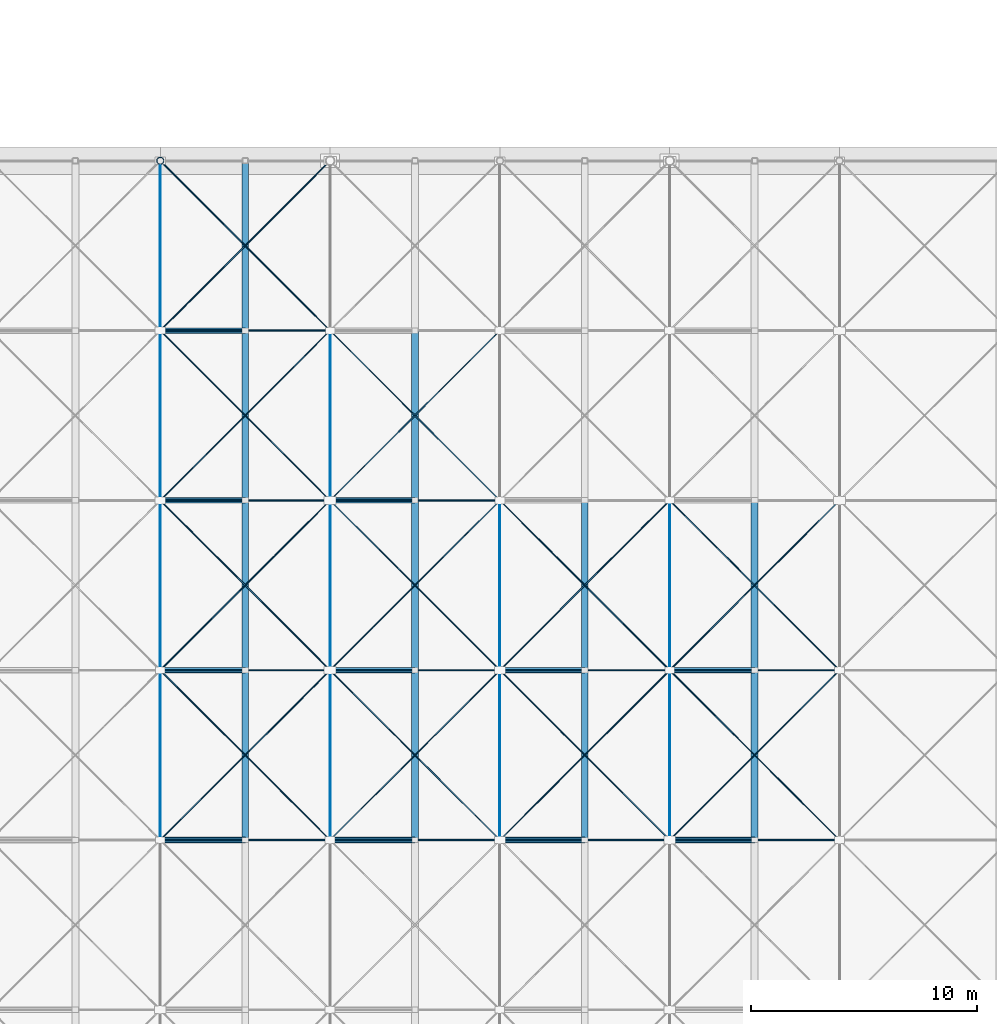
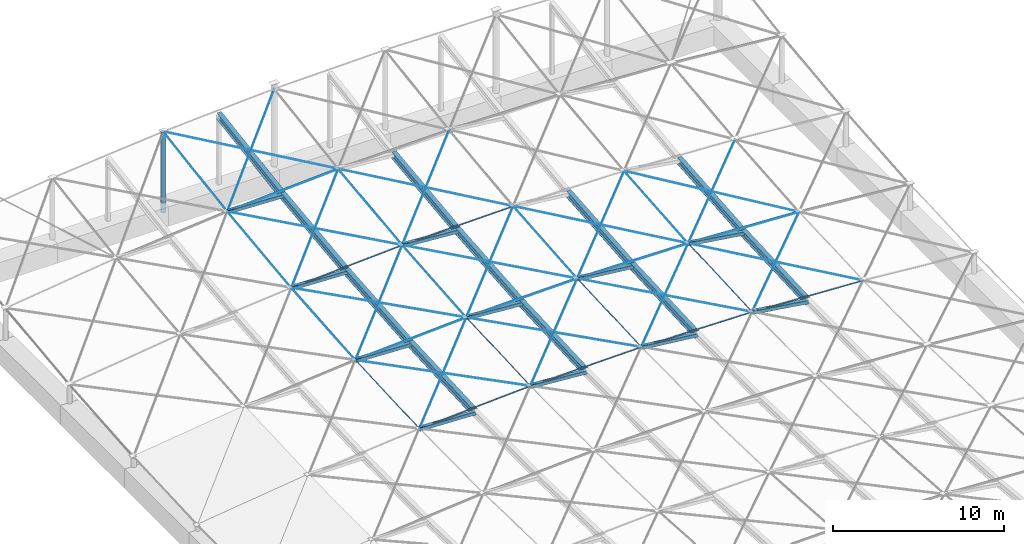
# One storey, part 7 of 17: 67 members.
"""IFC4 building model written with IfcOpenShell, lengths in metres."""

import ifcopenshell
import ifcopenshell.guid

model = None  # the IFC model being written
_history = None  # IfcOwnerHistory: only IFC2X3 demands one
_inside = {}  # id of a spatial element -> (the spatial element, [elements in it])
_under = {}  # id of a project, library or spatial element -> (it, [spatial elements below it])
_declared = {}  # id of a project -> (the project, [libraries it declares])
_typed = {}  # id of a type object -> (the type object, [elements of that type])
_made_of = {}  # id of a material, layer set ... -> (it, [elements and type objects made of it])


def new_model(schema):
    """Start an empty IFC model of exactly this schema.

    Asked for "IFC4X3", IfcOpenShell would pick the latest addendum, in which some entities
    have other attributes; the version numbers below select the first issue.
    IFC2X3 requires an IfcOwnerHistory on every rooted entity: one is made here for all.
    """
    global model, _history
    if schema == "IFC4X3":
        model = ifcopenshell.file(schema_version=(4, 3, 0, 0))
    else:
        model = ifcopenshell.file(schema=schema)
    _inside.clear()
    _under.clear()
    _declared.clear()
    _typed.clear()
    _made_of.clear()
    _history = None
    if model.schema == "IFC2X3":
        org = make("IfcOrganization", Name="unknown")
        user = make(
            "IfcPersonAndOrganization",
            ThePerson=make("IfcPerson", FamilyName="unknown"),
            TheOrganization=org,
        )
        app = make(
            "IfcApplication",
            ApplicationDeveloper=org,
            Version="unknown",
            ApplicationFullName="unknown",
            ApplicationIdentifier="unknown",
        )
        _history = make(
            "IfcOwnerHistory",
            OwningUser=user,
            OwningApplication=app,
            ChangeAction="ADDED",
            CreationDate=0,
        )
    return model


def make(cls, **values):
    """One entity of the class cls with the attributes given. An attribute that is None is left unset."""
    return model.create_entity(
        cls, **{name: value for name, value in values.items() if value is not None}
    )


def rooted(cls, **values):
    """An entity with a GlobalId (a new one), such as an element, a storey or a relation."""
    return make(cls, GlobalId=ifcopenshell.guid.new(), OwnerHistory=_history, **values)


def si_unit(unit_type, name, prefix=None):
    """IfcSIUnit, for example si_unit("LENGTHUNIT", "METRE", prefix="MILLI")."""
    return make("IfcSIUnit", UnitType=unit_type, Prefix=prefix, Name=name)


def assignment(units):
    """IfcUnitAssignment: the units of a project."""
    return None if units is None else make("IfcUnitAssignment", Units=units)


def point(xyz):
    """IfcCartesianPoint."""
    return None if xyz is None else make("IfcCartesianPoint", Coordinates=xyz)


def direction(xyz):
    """IfcDirection."""
    return None if xyz is None else make("IfcDirection", DirectionRatios=xyz)


def frame(location, z_axis=None, x_axis=None):
    """IfcAxis2Placement3D, a coordinate frame: its origin and axes. An axis left out is left unset."""
    return make(
        "IfcAxis2Placement3D",
        Location=point(location),
        Axis=direction(z_axis),
        RefDirection=direction(x_axis),
    )


def frame_2d(location, x_axis=None):
    """IfcAxis2Placement2D, a coordinate frame in the plane: its origin and x axis."""
    return make(
        "IfcAxis2Placement2D", Location=point(location), RefDirection=direction(x_axis)
    )


def origin():
    """The frame at (0, 0, 0) with its axes left unset."""
    return frame((0.0, 0.0, 0.0))


def origin_2d():
    """The frame at (0, 0) in the plane with its x axis left unset."""
    return frame_2d((0.0, 0.0))


def place(relative_to, where):
    """IfcLocalPlacement: puts the frame where relative to a parent placement (None: the world)."""
    return make(
        "IfcLocalPlacement", PlacementRelTo=relative_to, RelativePlacement=where
    )


def context(
    kind, dimensions, precision=None, world=None, true_north=None, identifier=None
):
    """IfcGeometricRepresentationContext, for example the 3D "Model" context."""
    return make(
        "IfcGeometricRepresentationContext",
        ContextIdentifier=identifier,
        ContextType=kind,
        CoordinateSpaceDimension=dimensions,
        Precision=precision,
        WorldCoordinateSystem=world,
        TrueNorth=true_north,
    )


def subcontext(parent, identifier, kind, view, scale=None):
    """IfcGeometricRepresentationSubContext, for example "Body" below "Model"."""
    return make(
        "IfcGeometricRepresentationSubContext",
        ContextIdentifier=identifier,
        ContextType=kind,
        ParentContext=parent,
        TargetScale=scale,
        TargetView=view,
    )


def project(units=None, contexts=None):
    """IfcProject with its units and contexts."""
    return rooted(
        "IfcProject",
        Name="project",
        RepresentationContexts=contexts,
        UnitsInContext=assignment(units),
    )


def spatial(cls, under=None, at=None, **own):
    """A site, building, storey or space (cls), placed at a placement, below another one or the project."""
    s = rooted(cls, ObjectPlacement=at, **own)
    if under is not None:
        _under.setdefault(under.id(), (under, []))[1].append(s)
    return s


def profile(cls, at=None, kind="AREA", **sizes):
    """A parametric profile (cls). Its sizes go by their IFC names, for example OverallWidth=200.0."""
    return make(cls, ProfileType=kind, Position=at, **sizes)


def hollow_rectangle(**sizes):
    """IfcRectangleHollowProfileDef."""
    return profile("IfcRectangleHollowProfileDef", **sizes)


def circle(**sizes):
    """IfcCircleProfileDef."""
    return profile("IfcCircleProfileDef", **sizes)


def hollow_circle(**sizes):
    """IfcCircleHollowProfileDef."""
    return profile("IfcCircleHollowProfileDef", **sizes)


def i_section(**sizes):
    """IfcIShapeProfileDef."""
    return profile("IfcIShapeProfileDef", **sizes)


def extrude(swept, where, along, depth):
    """IfcExtrudedAreaSolid: the profile swept, set in the frame where, extruded along a direction by depth."""
    return make(
        "IfcExtrudedAreaSolid",
        SweptArea=swept,
        Position=where,
        ExtrudedDirection=direction(along),
        Depth=depth,
    )


def shape(context_of_items, identifier, shape_type, items):
    """IfcShapeRepresentation: the items that make up one representation, for example the "Body"."""
    return make(
        "IfcShapeRepresentation",
        ContextOfItems=context_of_items,
        RepresentationIdentifier=identifier,
        RepresentationType=shape_type,
        Items=items,
    )


def material(Name=None, Category=None):
    """IfcMaterial."""
    return make("IfcMaterial", Name=Name, Category=Category)


def material_profile(
    of_material, cross_section, Name=None, Category=None, Priority=None
):
    """IfcMaterialProfile: a cross section and its material."""
    return make(
        "IfcMaterialProfile",
        Name=Name,
        Material=of_material,
        Profile=cross_section,
        Priority=Priority,
        Category=Category,
    )


def profile_set(profiles, Name=None, composite=None):
    """IfcMaterialProfileSet."""
    return make(
        "IfcMaterialProfileSet",
        Name=Name,
        MaterialProfiles=profiles,
        CompositeProfile=composite,
    )


def made_of(thing, what):
    """Note that an element or type object is made of a material, layer set ...; save() writes the relation."""
    if what is not None:
        _made_of.setdefault(what.id(), (what, []))[1].append(thing)
    return thing


def type_object(cls, material=None, **own):
    """A type object (cls), such as IfcWallType, which elements share."""
    return made_of(rooted(cls, **own), material)


def element(
    cls,
    number,
    at=None,
    inside=None,
    cuts=None,
    type_object=None,
    material=None,
    context=None,
    identifier="Body",
    shape_type=None,
    held_by="IfcProductDefinitionShape",
    body=None,
    shapes=None,
    **own,
):
    """One element of the class cls, such as IfcWall. Its Tag is "e" and its number.

    at: its placement. inside: the storey or other place that contains it. cuts: it is an
    opening in that element (IfcRelVoidsElement). A single representation is given by context,
    identifier, shape_type and body (its items); several are given by shapes. held_by: the class
    of the entity that holds the representations. save() writes the other relations.
    """
    e = rooted(cls, Tag="e%d" % number, ObjectPlacement=at, **own)
    if body is not None:
        shapes = [shape(context, identifier, shape_type, body)]
    if shapes is not None:
        e.Representation = make(held_by, Representations=shapes)
    if inside is not None:
        _inside.setdefault(inside.id(), (inside, []))[1].append(e)
    if cuts is not None:
        rooted(
            "IfcRelVoidsElement", RelatingBuildingElement=cuts, RelatedOpeningElement=e
        )
    if type_object is not None:
        _typed.setdefault(type_object.id(), (type_object, []))[1].append(e)
    return made_of(e, material)


def aggregate(whole, parts):
    """IfcRelAggregates: a whole, such as a stair, and the parts it consists of."""
    return rooted("IfcRelAggregates", RelatingObject=whole, RelatedObjects=parts)


def save(model, path):
    """Write the relations noted so far, then the file.

    IfcRelAggregates (storeys below a building ...), IfcRelContainedInSpatialStructure (elements
    in a storey), IfcRelDefinesByType, IfcRelAssociatesMaterial and IfcRelDeclares: one each for
    every whole, place, type object, material and project.
    """
    for whole, parts in _under.values():
        aggregate(whole, parts)
    for where, things in _inside.values():
        rooted(
            "IfcRelContainedInSpatialStructure",
            RelatedElements=things,
            RelatingStructure=where,
        )
    for kind, things in _typed.values():
        rooted("IfcRelDefinesByType", RelatedObjects=things, RelatingType=kind)
    for what, things in _made_of.values():
        rooted("IfcRelAssociatesMaterial", RelatedObjects=things, RelatingMaterial=what)
    for by, libraries in _declared.values():
        rooted("IfcRelDeclares", RelatingContext=by, RelatedDefinitions=libraries)
    model.write(path)


model = new_model("IFC4")

# Units and contexts
model_context = context("Model", 3, precision=1e-05, world=origin(), true_north=direction((0.0, 1.0)))
body_context = subcontext(model_context, "Body", "Model", "MODEL_VIEW")
ifc_project = project(units=[si_unit("LENGTHUNIT", "METRE"), si_unit("AREAUNIT", "SQUARE_METRE"), si_unit("VOLUMEUNIT", "CUBIC_METRE"), si_unit("PLANEANGLEUNIT", "RADIAN"), si_unit("MASSUNIT", "GRAM", prefix="KILO")], contexts=[model_context])

# Site, building, storey
site_placement = place(None, origin())
site = spatial("IfcSite", under=ifc_project, at=site_placement, CompositionType="ELEMENT")
building_placement = place(site_placement, origin())
building = spatial("IfcBuilding", under=site, at=building_placement, Name="Qasida Concert Hall", CompositionType="ELEMENT")
storey_placement = place(building_placement, frame((0.0, 0.0, 25.199951171875)))
storey = spatial("IfcBuildingStorey", under=building, at=storey_placement, Name="RF", CompositionType="ELEMENT", Elevation=25.199951171875)

# Members
ifc_material_1 = material(Name="Steel S460N spiral strand EN 12385", Category="steel")
ifc_material_profile_1 = material_profile(ifc_material_1, circle(Radius=0.031982421875, at=origin_2d()), Name="STRAND D64")
ifc_profile_set_1 = profile_set([ifc_material_profile_1], Name="Steel S460N spiral strand EN 12385")
member_type_1 = type_object("IfcMemberType", Name="MB-CC1", PredefinedType="USERDEFINED", material=ifc_profile_set_1)
member_1_placement = place(storey_placement, frame((67.5, 52.5, 2.671142578125), z_axis=(0.998385056234, 0.0, 0.056809149684), x_axis=(0.0, 1.0, 0.0)))
element("IfcMember", 1, at=member_1_placement, inside=storey, type_object=member_type_1, Name="Roof cable CC-031", ObjectType="TENSION_CABLE", PredefinedType="USERDEFINED", context=body_context, shape_type="SweptSolid", body=[
    extrude(circle(Radius=0.031982421875, at=origin_2d()), origin(), (0.0, 0.0, 1.0), 7.51220703125),
])
member_2_placement = place(storey_placement, frame((75.0, 52.5, 3.097900390625), z_axis=(0.999781018788, 0.0, 0.02092640609), x_axis=(0.0, 1.0, 0.0)))
element("IfcMember", 2, at=member_2_placement, inside=storey, type_object=member_type_1, Name="Roof cable CC-032", ObjectType="TENSION_CABLE", PredefinedType="USERDEFINED", context=body_context, shape_type="SweptSolid", body=[
    extrude(circle(Radius=0.031982421875, at=origin_2d()), origin(), (0.0, 0.0, 1.0), 7.501708984375),
])
member_3_placement = place(storey_placement, frame((82.5, 52.5, 3.2548828125), z_axis=(0.999888395876, 0.0, -0.014939738727), x_axis=(0.0, 1.0, 0.0)))
element("IfcMember", 3, at=member_3_placement, inside=storey, type_object=member_type_1, Name="Roof cable CC-033", ObjectType="TENSION_CABLE", PredefinedType="USERDEFINED", context=body_context, shape_type="SweptSolid", body=[
    extrude(circle(Radius=0.031982421875, at=origin_2d()), origin(), (0.0, 0.0, 1.0), 7.500732421875),
])
member_4_placement = place(storey_placement, frame((90.0, 52.5, 3.142822265625), z_axis=(0.998706525654, 0.0, -0.050845605668), x_axis=(0.0, 1.0, 0.0)))
element("IfcMember", 4, at=member_4_placement, inside=storey, type_object=member_type_1, Name="Roof cable CC-034", ObjectType="TENSION_CABLE", PredefinedType="USERDEFINED", context=body_context, shape_type="SweptSolid", body=[
    extrude(circle(Radius=0.031982421875, at=origin_2d()), origin(), (0.0, 0.0, 1.0), 7.509765625),
])
member_5_placement = place(storey_placement, frame((67.5, 67.5, 3.646240234375), z_axis=(0.998386899, 0.0, 0.056776754966), x_axis=(0.0, 1.0, 0.0)))
element("IfcMember", 5, at=member_5_placement, inside=storey, type_object=member_type_1, Name="Roof cable CC-045", ObjectType="TENSION_CABLE", PredefinedType="USERDEFINED", context=body_context, shape_type="SweptSolid", body=[
    extrude(circle(Radius=0.031982421875, at=origin_2d()), origin(), (0.0, 0.0, 1.0), 7.51220703125),
])
member_6_placement = place(storey_placement, frame((75.0, 67.5, 4.07275390625), z_axis=(0.999780337359, 0.0, 0.02095893676), x_axis=(0.0, 1.0, 0.0)))
element("IfcMember", 6, at=member_6_placement, inside=storey, type_object=member_type_1, Name="Roof cable CC-046", ObjectType="TENSION_CABLE", PredefinedType="USERDEFINED", context=body_context, shape_type="SweptSolid", body=[
    extrude(circle(Radius=0.031982421875, at=origin_2d()), origin(), (0.0, 0.0, 1.0), 7.501708984375),
])
ifc_material_profile_2 = material_profile(ifc_material_1, circle(Radius=0.027099609375, at=origin_2d()), Name="STRAND D54")
ifc_profile_set_2 = profile_set([ifc_material_profile_2], Name="Steel S460N spiral strand EN 12385")
member_type_2 = type_object("IfcMemberType", Name="MB-CC2", PredefinedType="USERDEFINED", material=ifc_profile_set_2)
member_7_placement = place(storey_placement, frame((67.5, 60.0, 3.021240234375), z_axis=(0.998386899, 0.0, 0.056776754966), x_axis=(0.0, 1.0, 0.0)))
element("IfcMember", 7, at=member_7_placement, inside=storey, type_object=member_type_2, Name="Roof cable CC-038", ObjectType="TENSION_CABLE", PredefinedType="USERDEFINED", context=body_context, shape_type="SweptSolid", body=[
    extrude(circle(Radius=0.027099609375, at=origin_2d()), origin(), (0.0, 0.0, 1.0), 7.51220703125),
])
member_8_placement = place(storey_placement, frame((75.0, 60.0, 3.44775390625), z_axis=(0.999780337359, 0.0, 0.02095893676), x_axis=(0.0, 1.0, 0.0)))
element("IfcMember", 8, at=member_8_placement, inside=storey, type_object=member_type_2, Name="Roof cable CC-039", ObjectType="TENSION_CABLE", PredefinedType="USERDEFINED", context=body_context, shape_type="SweptSolid", body=[
    extrude(circle(Radius=0.027099609375, at=origin_2d()), origin(), (0.0, 0.0, 1.0), 7.501708984375),
])
member_9_placement = place(storey_placement, frame((82.5, 60.0, 3.60498046875), z_axis=(0.999887909135, 0.0, -0.014972279889), x_axis=(0.0, 1.0, 0.0)))
element("IfcMember", 9, at=member_9_placement, inside=storey, type_object=member_type_2, Name="Roof cable CC-040", ObjectType="TENSION_CABLE", PredefinedType="USERDEFINED", context=body_context, shape_type="SweptSolid", body=[
    extrude(circle(Radius=0.027099609375, at=origin_2d()), origin(), (0.0, 0.0, 1.0), 7.500732421875),
])
member_10_placement = place(storey_placement, frame((90.0, 60.0, 3.49267578125), z_axis=(0.998708175982, 0.0, -0.050813179657), x_axis=(0.0, 1.0, 0.0)))
element("IfcMember", 10, at=member_10_placement, inside=storey, type_object=member_type_2, Name="Roof cable CC-041", ObjectType="TENSION_CABLE", PredefinedType="USERDEFINED", context=body_context, shape_type="SweptSolid", body=[
    extrude(circle(Radius=0.027099609375, at=origin_2d()), origin(), (0.0, 0.0, 1.0), 7.509765625),
])
member_11_placement = place(storey_placement, frame((67.5, 75.0, 4.546142578125), z_axis=(0.998385056234, 0.0, 0.056809149684), x_axis=(0.0, 1.0, 0.0)))
element("IfcMember", 11, at=member_11_placement, inside=storey, type_object=member_type_2, Name="Roof cable CC-052", ObjectType="TENSION_CABLE", PredefinedType="USERDEFINED", context=body_context, shape_type="SweptSolid", body=[
    extrude(circle(Radius=0.027099609375, at=origin_2d()), origin(), (0.0, 0.0, 1.0), 7.51220703125),
])
ifc_material_2 = material(Name="Steel S355J2", Category="steel")
ifc_material_profile_3 = material_profile(ifc_material_2, i_section(OverallWidth=0.300048828125, OverallDepth=0.489990234375, WebThickness=0.011962890625, FlangeThickness=0.02294921875, FilletRadius=0.027099609375, at=origin_2d()), Name="HEA 500")
ifc_profile_set_3 = profile_set([ifc_material_profile_3], Name="Steel S355J2")
member_type_3 = type_object("IfcMemberType", Name="MB-PR3", PredefinedType="PURLIN", material=ifc_profile_set_3)
member_12_placement = place(storey_placement, frame((71.25, 52.5, 2.5283203125), z_axis=(0.0, 0.998913794708, 0.046596467051), x_axis=(-1.0, 0.0, 0.0)))
element("IfcMember", 12, at=member_12_placement, inside=storey, type_object=member_type_3, Name="Cable-net secondary rib RFR-031", PredefinedType="PURLIN", context=body_context, shape_type="SweptSolid", body=[
    extrude(i_section(OverallWidth=0.300048828125, OverallDepth=0.489990234375, WebThickness=0.011962890625, FlangeThickness=0.02294921875, FilletRadius=0.027099609375, at=origin_2d()), origin(), (0.0, 0.0, 1.0), 7.508056640625),
])
member_13_placement = place(storey_placement, frame((71.25, 60.0, 2.878173828125), z_axis=(0.0, 0.996545758245, 0.083045479854), x_axis=(-1.0, 0.0, 0.0)))
element("IfcMember", 13, at=member_13_placement, inside=storey, type_object=member_type_3, Name="Cable-net secondary rib RFR-032", PredefinedType="PURLIN", context=body_context, shape_type="SweptSolid", body=[
    extrude(i_section(OverallWidth=0.300048828125, OverallDepth=0.489990234375, WebThickness=0.011962890625, FlangeThickness=0.02294921875, FilletRadius=0.027099609375, at=origin_2d()), origin(), (0.0, 0.0, 1.0), 7.52587890625),
])
member_14_placement = place(storey_placement, frame((71.25, 67.5, 3.503173828125), z_axis=(0.0, 0.992874544287, 0.119164337395), x_axis=(-1.0, 0.0, 0.0)))
element("IfcMember", 14, at=member_14_placement, inside=storey, type_object=member_type_3, Name="Cable-net secondary rib RFR-033", PredefinedType="PURLIN", context=body_context, shape_type="SweptSolid", body=[
    extrude(i_section(OverallWidth=0.300048828125, OverallDepth=0.489990234375, WebThickness=0.011962890625, FlangeThickness=0.02294921875, FilletRadius=0.027099609375, at=origin_2d()), origin(), (0.0, 0.0, 1.0), 7.5537109375),
])
member_15_placement = place(storey_placement, frame((71.25, 75.0, 4.4033203125), z_axis=(0.0, 0.987948181755, 0.154784980429), x_axis=(-1.0, 0.0, 0.0)))
element("IfcMember", 15, at=member_15_placement, inside=storey, type_object=member_type_3, Name="Cable-net secondary rib RFR-034", PredefinedType="PURLIN", context=body_context, shape_type="SweptSolid", body=[
    extrude(i_section(OverallWidth=0.300048828125, OverallDepth=0.489990234375, WebThickness=0.011962890625, FlangeThickness=0.02294921875, FilletRadius=0.027099609375, at=origin_2d()), origin(), (0.0, 0.0, 1.0), 7.591552734375),
])
member_16_placement = place(storey_placement, frame((78.75, 52.5, 2.820068359375), z_axis=(0.0, 0.998912280665, 0.046628913101), x_axis=(-1.0, 0.0, 0.0)))
element("IfcMember", 16, at=member_16_placement, inside=storey, type_object=member_type_3, Name="Cable-net secondary rib RFR-048", PredefinedType="PURLIN", context=body_context, shape_type="SweptSolid", body=[
    extrude(i_section(OverallWidth=0.300048828125, OverallDepth=0.489990234375, WebThickness=0.011962890625, FlangeThickness=0.02294921875, FilletRadius=0.027099609375, at=origin_2d()), origin(), (0.0, 0.0, 1.0), 7.508056640625),
])
member_17_placement = place(storey_placement, frame((78.75, 60.0, 3.170166015625), z_axis=(0.0, 0.996545758245, 0.083045479854), x_axis=(-1.0, 0.0, 0.0)))
element("IfcMember", 17, at=member_17_placement, inside=storey, type_object=member_type_3, Name="Cable-net secondary rib RFR-049", PredefinedType="PURLIN", context=body_context, shape_type="SweptSolid", body=[
    extrude(i_section(OverallWidth=0.300048828125, OverallDepth=0.489990234375, WebThickness=0.011962890625, FlangeThickness=0.02294921875, FilletRadius=0.027099609375, at=origin_2d()), origin(), (0.0, 0.0, 1.0), 7.52587890625),
])
member_18_placement = place(storey_placement, frame((78.75, 67.5, 3.795166015625), z_axis=(0.0, 0.992878367755, 0.119132476027), x_axis=(-1.0, 0.0, 0.0)))
element("IfcMember", 18, at=member_18_placement, inside=storey, type_object=member_type_3, Name="Cable-net secondary rib RFR-050", PredefinedType="PURLIN", context=body_context, shape_type="SweptSolid", body=[
    extrude(i_section(OverallWidth=0.300048828125, OverallDepth=0.489990234375, WebThickness=0.011962890625, FlangeThickness=0.02294921875, FilletRadius=0.027099609375, at=origin_2d()), origin(), (0.0, 0.0, 1.0), 7.5537109375),
])
member_19_placement = place(storey_placement, frame((86.25, 52.5, 2.842529296875), z_axis=(0.0, 0.998913794708, 0.046596467051), x_axis=(-1.0, 0.0, 0.0)))
element("IfcMember", 19, at=member_19_placement, inside=storey, type_object=member_type_3, Name="Cable-net secondary rib RFR-065", PredefinedType="PURLIN", context=body_context, shape_type="SweptSolid", body=[
    extrude(i_section(OverallWidth=0.300048828125, OverallDepth=0.489990234375, WebThickness=0.011962890625, FlangeThickness=0.02294921875, FilletRadius=0.027099609375, at=origin_2d()), origin(), (0.0, 0.0, 1.0), 7.508056640625),
])
member_20_placement = place(storey_placement, frame((86.25, 60.0, 3.1923828125), z_axis=(0.0, 0.996545758245, 0.083045479854), x_axis=(-1.0, 0.0, 0.0)))
element("IfcMember", 20, at=member_20_placement, inside=storey, type_object=member_type_3, Name="Cable-net secondary rib RFR-066", PredefinedType="PURLIN", context=body_context, shape_type="SweptSolid", body=[
    extrude(i_section(OverallWidth=0.300048828125, OverallDepth=0.489990234375, WebThickness=0.011962890625, FlangeThickness=0.02294921875, FilletRadius=0.027099609375, at=origin_2d()), origin(), (0.0, 0.0, 1.0), 7.52587890625),
])
member_21_placement = place(storey_placement, frame((93.75, 52.5, 2.595458984375), z_axis=(0.0, 0.998912280665, 0.046628913101), x_axis=(-1.0, 0.0, 0.0)))
element("IfcMember", 21, at=member_21_placement, inside=storey, type_object=member_type_3, Name="Cable-net secondary rib RFR-082", PredefinedType="PURLIN", context=body_context, shape_type="SweptSolid", body=[
    extrude(i_section(OverallWidth=0.300048828125, OverallDepth=0.489990234375, WebThickness=0.011962890625, FlangeThickness=0.02294921875, FilletRadius=0.027099609375, at=origin_2d()), origin(), (0.0, 0.0, 1.0), 7.508056640625),
])
member_22_placement = place(storey_placement, frame((93.75, 60.0, 2.945556640625), z_axis=(0.0, 0.996545758245, 0.083045479854), x_axis=(-1.0, 0.0, 0.0)))
element("IfcMember", 22, at=member_22_placement, inside=storey, type_object=member_type_3, Name="Cable-net secondary rib RFR-083", PredefinedType="PURLIN", context=body_context, shape_type="SweptSolid", body=[
    extrude(i_section(OverallWidth=0.300048828125, OverallDepth=0.489990234375, WebThickness=0.011962890625, FlangeThickness=0.02294921875, FilletRadius=0.027099609375, at=origin_2d()), origin(), (0.0, 0.0, 1.0), 7.52587890625),
])
ifc_material_profile_4 = material_profile(ifc_material_1, circle(Radius=0.02197265625, at=origin_2d()), Name="STRAND D44")
ifc_profile_set_4 = profile_set([ifc_material_profile_4], Name="Steel S460N spiral strand EN 12385")
member_type_4 = type_object("IfcMemberType", Name="MB-SC1", PredefinedType="USERDEFINED", material=ifc_profile_set_4)
member_23_placement = place(storey_placement, frame((67.5, 52.5, 2.671142578125), z_axis=(0.0, 0.998912280665, 0.046628913101), x_axis=(-1.0, 0.0, 0.0)))
element("IfcMember", 23, at=member_23_placement, inside=storey, type_object=member_type_4, Name="Roof cable SC-021", ObjectType="TENSION_CABLE", PredefinedType="USERDEFINED", context=body_context, shape_type="SweptSolid", body=[
    extrude(circle(Radius=0.02197265625, at=origin_2d()), origin(), (0.0, 0.0, 1.0), 7.508056640625),
])
member_24_placement = place(storey_placement, frame((67.5, 60.0, 3.021240234375), z_axis=(0.0, 0.996545758245, 0.083045479854), x_axis=(-1.0, 0.0, 0.0)))
element("IfcMember", 24, at=member_24_placement, inside=storey, type_object=member_type_4, Name="Roof cable SC-022", ObjectType="TENSION_CABLE", PredefinedType="USERDEFINED", context=body_context, shape_type="SweptSolid", body=[
    extrude(circle(Radius=0.02197265625, at=origin_2d()), origin(), (0.0, 0.0, 1.0), 7.52587890625),
])
member_25_placement = place(storey_placement, frame((67.5, 67.5, 3.646240234375), z_axis=(0.0, 0.992878367755, 0.119132476027), x_axis=(-1.0, 0.0, 0.0)))
element("IfcMember", 25, at=member_25_placement, inside=storey, type_object=member_type_4, Name="Roof cable SC-023", ObjectType="TENSION_CABLE", PredefinedType="USERDEFINED", context=body_context, shape_type="SweptSolid", body=[
    extrude(circle(Radius=0.02197265625, at=origin_2d()), origin(), (0.0, 0.0, 1.0), 7.5537109375),
])
member_26_placement = place(storey_placement, frame((67.5, 75.0, 4.546142578125), z_axis=(0.0, 0.987948181755, 0.154784980429), x_axis=(-1.0, 0.0, 0.0)))
element("IfcMember", 26, at=member_26_placement, inside=storey, type_object=member_type_4, Name="Roof cable SC-024", ObjectType="TENSION_CABLE", PredefinedType="USERDEFINED", context=body_context, shape_type="SweptSolid", body=[
    extrude(circle(Radius=0.02197265625, at=origin_2d()), origin(), (0.0, 0.0, 1.0), 7.591552734375),
])
member_27_placement = place(storey_placement, frame((75.0, 52.5, 3.097900390625), z_axis=(0.0, 0.998913794708, 0.046596467051), x_axis=(-1.0, 0.0, 0.0)))
element("IfcMember", 27, at=member_27_placement, inside=storey, type_object=member_type_4, Name="Roof cable SC-029", ObjectType="TENSION_CABLE", PredefinedType="USERDEFINED", context=body_context, shape_type="SweptSolid", body=[
    extrude(circle(Radius=0.02197265625, at=origin_2d()), origin(), (0.0, 0.0, 1.0), 7.508056640625),
])
member_28_placement = place(storey_placement, frame((75.0, 60.0, 3.44775390625), z_axis=(0.0, 0.996545758245, 0.083045479854), x_axis=(-1.0, 0.0, 0.0)))
element("IfcMember", 28, at=member_28_placement, inside=storey, type_object=member_type_4, Name="Roof cable SC-030", ObjectType="TENSION_CABLE", PredefinedType="USERDEFINED", context=body_context, shape_type="SweptSolid", body=[
    extrude(circle(Radius=0.02197265625, at=origin_2d()), origin(), (0.0, 0.0, 1.0), 7.52587890625),
])
member_29_placement = place(storey_placement, frame((75.0, 67.5, 4.07275390625), z_axis=(0.0, 0.992874544287, 0.119164337395), x_axis=(-1.0, 0.0, 0.0)))
element("IfcMember", 29, at=member_29_placement, inside=storey, type_object=member_type_4, Name="Roof cable SC-031", ObjectType="TENSION_CABLE", PredefinedType="USERDEFINED", context=body_context, shape_type="SweptSolid", body=[
    extrude(circle(Radius=0.02197265625, at=origin_2d()), origin(), (0.0, 0.0, 1.0), 7.5537109375),
])
member_30_placement = place(storey_placement, frame((82.5, 52.5, 3.2548828125), z_axis=(0.0, 0.998912280665, 0.046628913101), x_axis=(-1.0, 0.0, 0.0)))
element("IfcMember", 30, at=member_30_placement, inside=storey, type_object=member_type_4, Name="Roof cable SC-037", ObjectType="TENSION_CABLE", PredefinedType="USERDEFINED", context=body_context, shape_type="SweptSolid", body=[
    extrude(circle(Radius=0.02197265625, at=origin_2d()), origin(), (0.0, 0.0, 1.0), 7.508056640625),
])
member_31_placement = place(storey_placement, frame((82.5, 60.0, 3.60498046875), z_axis=(0.0, 0.996545758245, 0.083045479854), x_axis=(-1.0, 0.0, 0.0)))
element("IfcMember", 31, at=member_31_placement, inside=storey, type_object=member_type_4, Name="Roof cable SC-038", ObjectType="TENSION_CABLE", PredefinedType="USERDEFINED", context=body_context, shape_type="SweptSolid", body=[
    extrude(circle(Radius=0.02197265625, at=origin_2d()), origin(), (0.0, 0.0, 1.0), 7.52587890625),
])
member_32_placement = place(storey_placement, frame((90.0, 52.5, 3.142822265625), z_axis=(0.0, 0.998913794708, 0.046596467051), x_axis=(-1.0, 0.0, 0.0)))
element("IfcMember", 32, at=member_32_placement, inside=storey, type_object=member_type_4, Name="Roof cable SC-045", ObjectType="TENSION_CABLE", PredefinedType="USERDEFINED", context=body_context, shape_type="SweptSolid", body=[
    extrude(circle(Radius=0.02197265625, at=origin_2d()), origin(), (0.0, 0.0, 1.0), 7.508056640625),
])
member_33_placement = place(storey_placement, frame((90.0, 60.0, 3.49267578125), z_axis=(0.0, 0.996545758245, 0.083045479854), x_axis=(-1.0, 0.0, 0.0)))
element("IfcMember", 33, at=member_33_placement, inside=storey, type_object=member_type_4, Name="Roof cable SC-046", ObjectType="TENSION_CABLE", PredefinedType="USERDEFINED", context=body_context, shape_type="SweptSolid", body=[
    extrude(circle(Radius=0.02197265625, at=origin_2d()), origin(), (0.0, 0.0, 1.0), 7.52587890625),
])
member_34_placement = place(storey_placement, frame((67.5, 52.5, 2.671142578125), z_axis=(0.705218929047, 0.705218929047, 0.073024134548), x_axis=(-0.707106781187, 0.707106781187, 0.0)))
element("IfcMember", 34, at=member_34_placement, inside=storey, type_object=member_type_4, Name="Roof cable diagonal DC-041", ObjectType="TENSION_CABLE", PredefinedType="USERDEFINED", context=body_context, shape_type="SweptSolid", body=[
    extrude(circle(Radius=0.02197265625, at=origin_2d()), origin(), (0.0, 0.0, 1.0), 10.635009765625),
])
member_35_placement = place(storey_placement, frame((67.5, 60.0, 3.021240234375), z_axis=(0.707088312974, -0.707088312974, 0.007227400074), x_axis=(0.707106781187, 0.707106781187, 0.0)))
element("IfcMember", 35, at=member_35_placement, inside=storey, type_object=member_type_4, Name="Roof cable diagonal DC-042", ObjectType="TENSION_CABLE", PredefinedType="USERDEFINED", context=body_context, shape_type="SweptSolid", body=[
    extrude(circle(Radius=0.02197265625, at=origin_2d()), origin(), (0.0, 0.0, 1.0), 10.60693359375),
])
member_36_placement = place(storey_placement, frame((67.5, 60.0, 3.021240234375), z_axis=(0.703657366658, 0.703657366658, 0.098654045514), x_axis=(-0.707106781187, 0.707106781187, 0.0)))
element("IfcMember", 36, at=member_36_placement, inside=storey, type_object=member_type_4, Name="Roof cable diagonal DC-043", ObjectType="TENSION_CABLE", PredefinedType="USERDEFINED", context=body_context, shape_type="SweptSolid", body=[
    extrude(circle(Radius=0.02197265625, at=origin_2d()), origin(), (0.0, 0.0, 1.0), 10.65869140625),
])
member_37_placement = place(storey_placement, frame((67.5, 67.5, 3.646240234375), z_axis=(0.706983001428, -0.706983001428, -0.018710194667), x_axis=(0.707106781187, 0.707106781187, 0.0)))
element("IfcMember", 37, at=member_37_placement, inside=storey, type_object=member_type_4, Name="Roof cable diagonal DC-044", ObjectType="TENSION_CABLE", PredefinedType="USERDEFINED", context=body_context, shape_type="SweptSolid", body=[
    extrude(circle(Radius=0.02197265625, at=origin_2d()), origin(), (0.0, 0.0, 1.0), 10.6083984375),
])
member_38_placement = place(storey_placement, frame((67.5, 67.5, 3.646240234375), z_axis=(0.701639615504, 0.701639615504, 0.124111642925), x_axis=(-0.707106781187, 0.707106781187, 0.0)))
element("IfcMember", 38, at=member_38_placement, inside=storey, type_object=member_type_4, Name="Roof cable diagonal DC-045", ObjectType="TENSION_CABLE", PredefinedType="USERDEFINED", context=body_context, shape_type="SweptSolid", body=[
    extrude(circle(Radius=0.02197265625, at=origin_2d()), origin(), (0.0, 0.0, 1.0), 10.689208984375),
])
member_39_placement = place(storey_placement, frame((67.5, 75.0, 4.546142578125), z_axis=(0.706403563199, -0.706403563199, -0.044587125945), x_axis=(0.707106781187, 0.707106781187, 0.0)))
element("IfcMember", 39, at=member_39_placement, inside=storey, type_object=member_type_4, Name="Roof cable diagonal DC-046", ObjectType="TENSION_CABLE", PredefinedType="USERDEFINED", context=body_context, shape_type="SweptSolid", body=[
    extrude(circle(Radius=0.02197265625, at=origin_2d()), origin(), (0.0, 0.0, 1.0), 10.6171875),
])
member_40_placement = place(storey_placement, frame((67.5, 75.0, 4.546142578125), z_axis=(0.699178655953, 0.699178655953, 0.149326535212), x_axis=(-0.707106781187, 0.707106781187, 0.0)))
element("IfcMember", 40, at=member_40_placement, inside=storey, type_object=member_type_4, Name="Roof cable diagonal DC-047", ObjectType="TENSION_CABLE", PredefinedType="USERDEFINED", context=body_context, shape_type="SweptSolid", body=[
    extrude(circle(Radius=0.02197265625, at=origin_2d()), origin(), (0.0, 0.0, 1.0), 10.726806640625),
])
member_41_placement = place(storey_placement, frame((67.5, 82.5, 5.72119140625), z_axis=(0.705353603067, -0.705353603067, -0.070374635202), x_axis=(0.707106781187, 0.707106781187, 0.0)))
element("IfcMember", 41, at=member_41_placement, inside=storey, type_object=member_type_4, Name="Roof cable diagonal DC-048", ObjectType="TENSION_CABLE", PredefinedType="USERDEFINED", context=body_context, shape_type="SweptSolid", body=[
    extrude(circle(Radius=0.02197265625, at=origin_2d()), origin(), (0.0, 0.0, 1.0), 10.633056640625),
])
member_42_placement = place(storey_placement, frame((75.0, 52.5, 3.097900390625), z_axis=(0.706300081493, 0.706300081493, 0.047753426734), x_axis=(-0.707106781187, 0.707106781187, 0.0)))
element("IfcMember", 42, at=member_42_placement, inside=storey, type_object=member_type_4, Name="Roof cable diagonal DC-057", ObjectType="TENSION_CABLE", PredefinedType="USERDEFINED", context=body_context, shape_type="SweptSolid", body=[
    extrude(circle(Radius=0.02197265625, at=origin_2d()), origin(), (0.0, 0.0, 1.0), 10.61865234375),
])
member_43_placement = place(storey_placement, frame((75.0, 60.0, 3.44775390625), z_axis=(0.706989904179, -0.706989904179, -0.018181055479), x_axis=(0.707106781187, 0.707106781187, 0.0)))
element("IfcMember", 43, at=member_43_placement, inside=storey, type_object=member_type_4, Name="Roof cable diagonal DC-058", ObjectType="TENSION_CABLE", PredefinedType="USERDEFINED", context=body_context, shape_type="SweptSolid", body=[
    extrude(circle(Radius=0.02197265625, at=origin_2d()), origin(), (0.0, 0.0, 1.0), 10.6083984375),
])
member_44_placement = place(storey_placement, frame((75.0, 60.0, 3.44775390625), z_axis=(0.705191641595, 0.705191641595, 0.073549284494), x_axis=(-0.707106781187, 0.707106781187, 0.0)))
element("IfcMember", 44, at=member_44_placement, inside=storey, type_object=member_type_4, Name="Roof cable diagonal DC-059", ObjectType="TENSION_CABLE", PredefinedType="USERDEFINED", context=body_context, shape_type="SweptSolid", body=[
    extrude(circle(Radius=0.02197265625, at=origin_2d()), origin(), (0.0, 0.0, 1.0), 10.635498046875),
])
member_45_placement = place(storey_placement, frame((75.0, 67.5, 4.07275390625), z_axis=(0.706420122946, -0.706420122946, -0.044059275897), x_axis=(0.707106781187, 0.707106781187, 0.0)))
element("IfcMember", 45, at=member_45_placement, inside=storey, type_object=member_type_4, Name="Roof cable diagonal DC-060", ObjectType="TENSION_CABLE", PredefinedType="USERDEFINED", context=body_context, shape_type="SweptSolid", body=[
    extrude(circle(Radius=0.02197265625, at=origin_2d()), origin(), (0.0, 0.0, 1.0), 10.616943359375),
])
member_46_placement = place(storey_placement, frame((75.0, 67.5, 4.07275390625), z_axis=(0.703620700272, 0.703620700272, 0.099175704172), x_axis=(-0.707106781187, 0.707106781187, 0.0)))
element("IfcMember", 46, at=member_46_placement, inside=storey, type_object=member_type_4, Name="Roof cable diagonal DC-061", ObjectType="TENSION_CABLE", PredefinedType="USERDEFINED", context=body_context, shape_type="SweptSolid", body=[
    extrude(circle(Radius=0.02197265625, at=origin_2d()), origin(), (0.0, 0.0, 1.0), 10.6591796875),
])
member_47_placement = place(storey_placement, frame((75.0, 75.0, 4.972900390625), z_axis=(0.705378588854, -0.705378588854, -0.06987197415), x_axis=(0.707106781187, 0.707106781187, 0.0)))
element("IfcMember", 47, at=member_47_placement, inside=storey, type_object=member_type_4, Name="Roof cable diagonal DC-062", ObjectType="TENSION_CABLE", PredefinedType="USERDEFINED", context=body_context, shape_type="SweptSolid", body=[
    extrude(circle(Radius=0.02197265625, at=origin_2d()), origin(), (0.0, 0.0, 1.0), 10.632568359375),
])
member_48_placement = place(storey_placement, frame((82.5, 52.5, 3.2548828125), z_axis=(0.706929142798, 0.706929142798, 0.022413703942), x_axis=(-0.707106781187, 0.707106781187, 0.0)))
element("IfcMember", 48, at=member_48_placement, inside=storey, type_object=member_type_4, Name="Roof cable diagonal DC-073", ObjectType="TENSION_CABLE", PredefinedType="USERDEFINED", context=body_context, shape_type="SweptSolid", body=[
    extrude(circle(Radius=0.02197265625, at=origin_2d()), origin(), (0.0, 0.0, 1.0), 10.609375),
])
member_49_placement = place(storey_placement, frame((82.5, 60.0, 3.60498046875), z_axis=(0.706436486238, -0.706436486238, -0.043531388947), x_axis=(0.707106781187, 0.707106781187, 0.0)))
element("IfcMember", 49, at=member_49_placement, inside=storey, type_object=member_type_4, Name="Roof cable diagonal DC-074", ObjectType="TENSION_CABLE", PredefinedType="USERDEFINED", context=body_context, shape_type="SweptSolid", body=[
    extrude(circle(Radius=0.02197265625, at=origin_2d()), origin(), (0.0, 0.0, 1.0), 10.61669921875),
])
member_50_placement = place(storey_placement, frame((82.5, 60.0, 3.60498046875), z_axis=(0.706282147743, 0.706282147743, 0.048281006193), x_axis=(-0.707106781187, 0.707106781187, 0.0)))
element("IfcMember", 50, at=member_50_placement, inside=storey, type_object=member_type_4, Name="Roof cable diagonal DC-075", ObjectType="TENSION_CABLE", PredefinedType="USERDEFINED", context=body_context, shape_type="SweptSolid", body=[
    extrude(circle(Radius=0.02197265625, at=origin_2d()), origin(), (0.0, 0.0, 1.0), 10.618896484375),
])
member_51_placement = place(storey_placement, frame((82.5, 67.5, 4.22998046875), z_axis=(0.705404520719, -0.705404520719, -0.069346407961), x_axis=(0.707106781187, 0.707106781187, 0.0)))
element("IfcMember", 51, at=member_51_placement, inside=storey, type_object=member_type_4, Name="Roof cable diagonal DC-076", ObjectType="TENSION_CABLE", PredefinedType="USERDEFINED", context=body_context, shape_type="SweptSolid", body=[
    extrude(circle(Radius=0.02197265625, at=origin_2d()), origin(), (0.0, 0.0, 1.0), 10.632080078125),
])
member_52_placement = place(storey_placement, frame((90.0, 52.5, 3.142822265625), z_axis=(0.707103615511, 0.707103615511, -0.002992300456), x_axis=(-0.707106781187, 0.707106781187, 0.0)))
element("IfcMember", 52, at=member_52_placement, inside=storey, type_object=member_type_4, Name="Roof cable diagonal DC-089", ObjectType="TENSION_CABLE", PredefinedType="USERDEFINED", context=body_context, shape_type="SweptSolid", body=[
    extrude(circle(Radius=0.02197265625, at=origin_2d()), origin(), (0.0, 0.0, 1.0), 10.606689453125),
])
member_53_placement = place(storey_placement, frame((90.0, 60.0, 3.49267578125), z_axis=(0.705430258667, -0.705430258667, -0.068820784024), x_axis=(0.707106781187, 0.707106781187, 0.0)))
element("IfcMember", 53, at=member_53_placement, inside=storey, type_object=member_type_4, Name="Roof cable diagonal DC-090", ObjectType="TENSION_CABLE", PredefinedType="USERDEFINED", context=body_context, shape_type="SweptSolid", body=[
    extrude(circle(Radius=0.02197265625, at=origin_2d()), origin(), (0.0, 0.0, 1.0), 10.6318359375),
])
member_54_placement = place(storey_placement, frame((90.0, 60.0, 3.49267578125), z_axis=(0.706920657602, 0.706920657602, 0.022942704936), x_axis=(-0.707106781187, 0.707106781187, 0.0)))
element("IfcMember", 54, at=member_54_placement, inside=storey, type_object=member_type_4, Name="Roof cable diagonal DC-091", ObjectType="TENSION_CABLE", PredefinedType="USERDEFINED", context=body_context, shape_type="SweptSolid", body=[
    extrude(circle(Radius=0.02197265625, at=origin_2d()), origin(), (0.0, 0.0, 1.0), 10.609375),
])
member_55_placement = place(storey_placement, frame((90.0, 67.5, 4.11767578125), z_axis=(0.70394386484, -0.70394386484, -0.094477882641), x_axis=(0.707106781187, 0.707106781187, 0.0)))
element("IfcMember", 55, at=member_55_placement, inside=storey, type_object=member_type_4, Name="Roof cable diagonal DC-092", ObjectType="TENSION_CABLE", PredefinedType="USERDEFINED", context=body_context, shape_type="SweptSolid", body=[
    extrude(circle(Radius=0.02197265625, at=origin_2d()), origin(), (0.0, 0.0, 1.0), 10.654296875),
])
ifc_material_profile_5 = material_profile(ifc_material_2, hollow_circle(Radius=0.161865234375, WallThickness=0.01611328125, at=origin_2d()), Name="CHS 323.9x16")
ifc_profile_set_5 = profile_set([ifc_material_profile_5], Name="Steel S355J2")
member_type_5 = type_object("IfcMemberType", Name="MB-ST3", PredefinedType="STRUT", material=ifc_profile_set_5)
member_56_placement = place(storey_placement, frame((67.5, 82.5, 0.0), z_axis=(0.0, 0.0, 1.0), x_axis=(1.0, 0.0, 0.0)))
element("IfcMember", 56, at=member_56_placement, inside=storey, type_object=member_type_5, Name="Roof ring-beam edge strut EST-011", PredefinedType="STRUT", context=body_context, shape_type="SweptSolid", body=[
    extrude(hollow_circle(Radius=0.161865234375, WallThickness=0.01611328125, at=origin_2d()), origin(), (0.0, 0.0, 1.0), 5.72119140625),
])
ifc_material_profile_6 = material_profile(ifc_material_2, hollow_rectangle(XDim=0.25, YDim=0.25, WallThickness=0.012451171875, InnerFilletRadius=0.012451171875, OuterFilletRadius=0.02490234375, at=origin_2d()), Name="SHS 250x250x12.5")
ifc_profile_set_6 = profile_set([ifc_material_profile_6], Name="Steel S355J2")
member_type_6 = type_object("IfcMemberType", Name="MB-ST5", PredefinedType="STRUT", material=ifc_profile_set_6)
for number, where, z_axis, x_axis, name in (
    (57, (67.5, 52.5, 2.671142578125), (0.999275518753, 0.0, -0.038058344953), (0.0, 1.0, 0.0), "Cable-net rib hanger strut RFRH-023"),
    (58, (67.5, 60.0, 3.021240234375), (0.99927304248, 0.0, -0.03812330748), (0.0, 1.0, 0.0), "Cable-net rib hanger strut RFRH-024"),
    (59, (67.5, 67.5, 3.646240234375), (0.99927304248, 0.0, -0.03812330748), (0.0, 1.0, 0.0), "Cable-net rib hanger strut RFRH-025"),
    (60, (67.5, 75.0, 4.546142578125), (0.999275518753, 0.0, -0.038058344953), (0.0, 1.0, 0.0), "Cable-net rib hanger strut RFRH-026"),
):
    element("IfcMember", number, at=place(storey_placement, frame(where, z_axis=z_axis, x_axis=x_axis)), inside=storey, type_object=member_type_6, Name=name, PredefinedType="STRUT", context=body_context, shape_type="SweptSolid", body=[
        extrude(hollow_rectangle(XDim=0.25, YDim=0.25, WallThickness=0.012451171875, InnerFilletRadius=0.012451171875, OuterFilletRadius=0.02490234375, at=origin_2d()), origin(), (0.0, 0.0, 1.0), 3.752685546875),
    ])
for number, where, z_axis, x_axis, name in (
    (61, (75.0, 52.5, 3.097900390625), (0.997266691441, 0.0, -0.073886034822), (0.0, 1.0, 0.0), "Cable-net rib hanger strut RFRH-040"),
    (62, (75.0, 60.0, 3.44775390625), (0.997271473402, 0.0, -0.073821462582), (0.0, 1.0, 0.0), "Cable-net rib hanger strut RFRH-041"),
    (63, (75.0, 67.5, 4.07275390625), (0.997271473402, 0.0, -0.073821462582), (0.0, 1.0, 0.0), "Cable-net rib hanger strut RFRH-042"),
):
    element("IfcMember", number, at=place(storey_placement, frame(where, z_axis=z_axis, x_axis=x_axis)), inside=storey, type_object=member_type_6, Name=name, PredefinedType="STRUT", context=body_context, shape_type="SweptSolid", body=[
        extrude(hollow_rectangle(XDim=0.25, YDim=0.25, WallThickness=0.012451171875, InnerFilletRadius=0.012451171875, OuterFilletRadius=0.02490234375, at=origin_2d()), origin(), (0.0, 0.0, 1.0), 3.76025390625),
    ])
for number, where, z_axis, x_axis, name in (
    (64, (82.5, 52.5, 3.2548828125), (0.994008575263, 0.0, -0.109302114819), (0.0, 1.0, 0.0), "Cable-net rib hanger strut RFRH-057"),
    (65, (82.5, 60.0, 3.60498046875), (0.994001542248, 0.0, -0.109366055104), (0.0, 1.0, 0.0), "Cable-net rib hanger strut RFRH-058"),
):
    element("IfcMember", number, at=place(storey_placement, frame(where, z_axis=z_axis, x_axis=x_axis)), inside=storey, type_object=member_type_6, Name=name, PredefinedType="STRUT", context=body_context, shape_type="SweptSolid", body=[
        extrude(hollow_rectangle(XDim=0.25, YDim=0.25, WallThickness=0.012451171875, InnerFilletRadius=0.012451171875, OuterFilletRadius=0.02490234375, at=origin_2d()), origin(), (0.0, 0.0, 1.0), 3.772705078125),
    ])
for number, where, z_axis, x_axis, name in (
    (66, (90.0, 52.5, 3.142822265625), (0.989514574694, 0.0, -0.144433051853), (0.0, 1.0, 0.0), "Cable-net rib hanger strut RFRH-074"),
    (67, (90.0, 60.0, 3.49267578125), (0.989523779804, 0.0, -0.144369973342), (0.0, 1.0, 0.0), "Cable-net rib hanger strut RFRH-075"),
):
    element("IfcMember", number, at=place(storey_placement, frame(where, z_axis=z_axis, x_axis=x_axis)), inside=storey, type_object=member_type_6, Name=name, PredefinedType="STRUT", context=body_context, shape_type="SweptSolid", body=[
        extrude(hollow_rectangle(XDim=0.25, YDim=0.25, WallThickness=0.012451171875, InnerFilletRadius=0.012451171875, OuterFilletRadius=0.02490234375, at=origin_2d()), origin(), (0.0, 0.0, 1.0), 3.789794921875),
    ])

save(model, "model.ifc")
